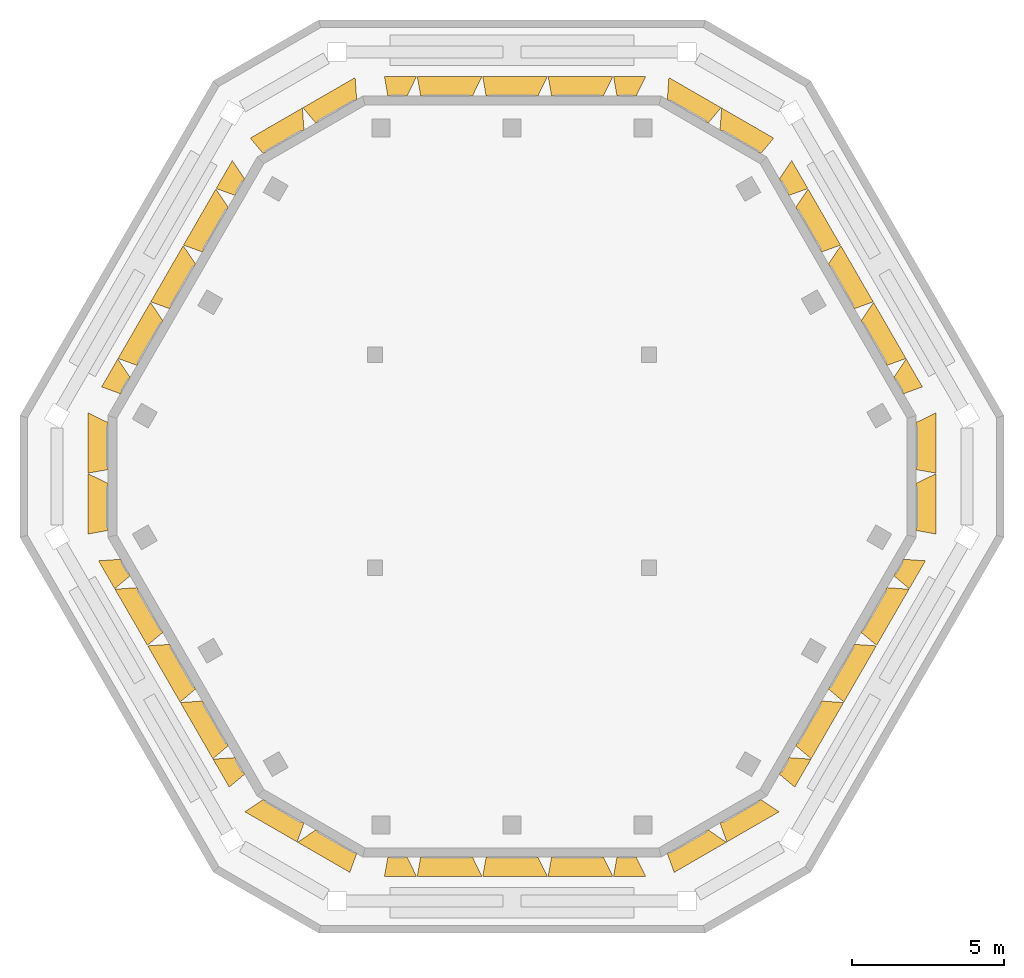
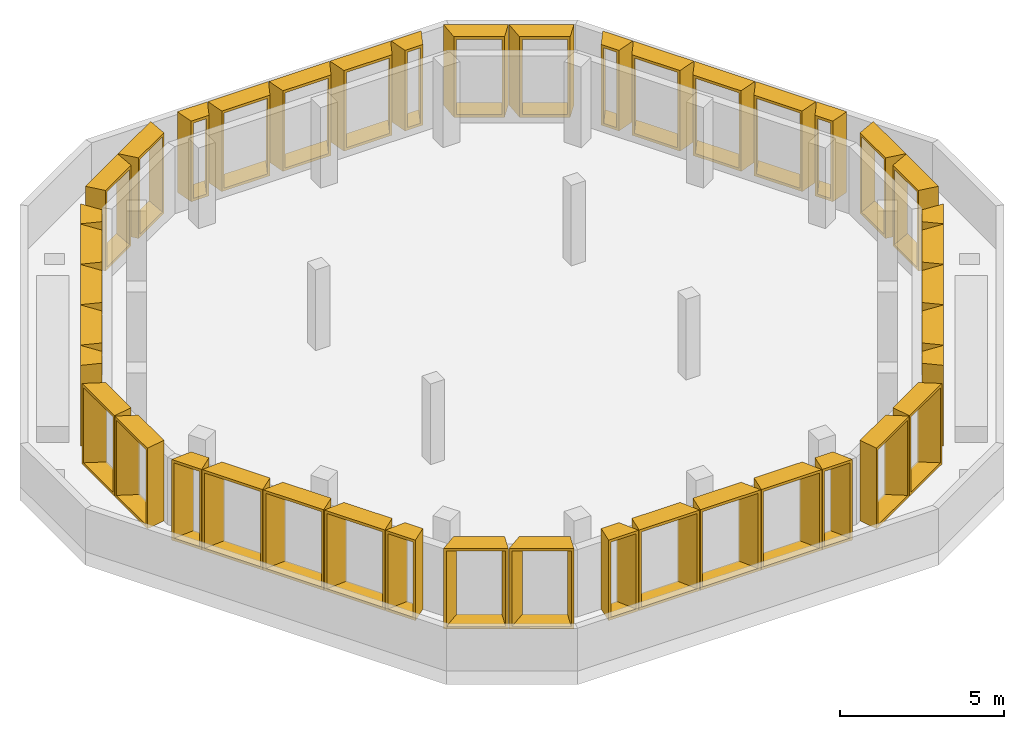
# One storey, part 3 of 4: 42 shading devices.
"""IFC4 building model written with IfcOpenShell, lengths in metres."""

from ifc_helpers import new_model, entity, si_unit, direction, frame, origin, place, context, subcontext, project, spatial, source, transform, mapped, material, type_object, type_shapes, element, save


model = new_model("IFC4")

# Units and contexts
model_context = context("Model", 3, precision=1e-05, world=origin(), true_north=direction((0.0, 1.0)))
body_context = subcontext(model_context, "Body", "Model", "MODEL_VIEW")
ifc_project = project(units=[si_unit("LENGTHUNIT", "METRE"), si_unit("AREAUNIT", "SQUARE_METRE"), si_unit("VOLUMEUNIT", "CUBIC_METRE"), si_unit("PLANEANGLEUNIT", "RADIAN"), si_unit("MASSUNIT", "GRAM", prefix="KILO")], contexts=[model_context])

# Site, building, storey
site_placement = place(None, origin())
site = spatial("IfcSite", under=ifc_project, at=site_placement, CompositionType="ELEMENT")
building_placement = place(site_placement, origin())
building = spatial("IfcBuilding", under=site, at=building_placement, Name="Beryl Residences", CompositionType="ELEMENT")
storey_placement = place(building_placement, frame((0.0, 0.0, 253.800048828125)))
storey = spatial("IfcBuildingStorey", under=building, at=storey_placement, Name="L79", CompositionType="ELEMENT", Elevation=253.800048828125)

# Shading devices
ifc_material_1 = material(Name="Aluminium pale anodised", Category="aluminium")
shading_device_type_1 = type_object("IfcShadingDeviceType", Name="FR108-65B OUTER SKIN frame 650 mm deep, splay 26/10 deg, 1080 x 3000 mm cell", PredefinedType="USERDEFINED", material=ifc_material_1)
cartesian_point_1 = entity("IfcCartesianPoint", [-0.31396484375, 0.0])
cartesian_point_2 = entity("IfcCartesianPoint", [-0.22509765625, 0.10009765625])
cartesian_point_3 = entity("IfcCartesianPoint", [-0.631103515625, 0.0])
cartesian_point_4 = entity("IfcCartesianPoint", [-0.5419921875, 0.10009765625])
shared_shape_1 = source(origin(), body_context, "Body", "SweptSolid", [
    entity("IfcExtrudedAreaSolidTapered", entity("IfcArbitraryProfileDefWithVoids", "AREA", None, entity("IfcPolyline", [cartesian_point_1, entity("IfcCartesianPoint", [0.31396484375, 0.0]), entity("IfcCartesianPoint", [0.31396484375, 3.0]), entity("IfcCartesianPoint", [-0.31396484375, 3.0]), cartesian_point_1]), [entity("IfcPolyline", [cartesian_point_2, entity("IfcCartesianPoint", [0.232666015625, 0.10009765625]), entity("IfcCartesianPoint", [0.232666015625, 2.89990234375]), entity("IfcCartesianPoint", [-0.22509765625, 2.89990234375]), cartesian_point_2])]), entity("IfcAxis2Placement3D", entity("IfcCartesianPoint", [0.0, 0.0, 0.0]), entity("IfcDirection", [0.0, 1.0, 0.0]), entity("IfcDirection", [-1.0, 0.0, 0.0])), entity("IfcDirection", [0.0, 0.0, 1.0]), 0.64990234375, entity("IfcArbitraryProfileDefWithVoids", "AREA", None, entity("IfcPolyline", [cartesian_point_3, entity("IfcCartesianPoint", [0.4287109375, 0.0]), entity("IfcCartesianPoint", [0.4287109375, 3.0]), entity("IfcCartesianPoint", [-0.631103515625, 3.0]), cartesian_point_3]), [entity("IfcPolyline", [cartesian_point_4, entity("IfcCartesianPoint", [0.347412109375, 0.10009765625]), entity("IfcCartesianPoint", [0.347412109375, 2.89990234375]), entity("IfcCartesianPoint", [-0.5419921875, 2.89990234375]), cartesian_point_4])])),
])
type_shapes(shading_device_type_1, [shared_shape_1])
for number, where, z_axis, x_axis, name in (
    (1, (3.763916015625, 12.5, 0.0), (0.0, 0.0, 1.0), (1.0, 0.0, 0.0), "FR108-65B frame L79 N 1"),
    (2, (-3.763916015625, 12.5, 0.0), (0.0, 0.0, 1.0), (1.0, 0.0, 0.0), "FR108-65B frame L79 N 5"),
    (3, (-8.943115234375, 9.509033203125, 0.0), (0.0, 0.0, 1.0), (0.5, 0.866025403784, 0.0), "FR108-65B frame L79 NW 1"),
    (4, (-12.70703125, 2.990966796875, 0.0), (0.0, 0.0, 1.0), (0.5, 0.866025403784, 0.0), "FR108-65B frame L79 NW 5"),
    (5, (-12.70703125, -2.990966796875, 0.0), (0.0, 0.0, 1.0), (-0.5, 0.866025403784, 0.0), "FR108-65B frame L79 SW 1"),
    (6, (-8.943115234375, -9.509033203125, 0.0), (0.0, 0.0, 1.0), (-0.5, 0.866025403784, 0.0), "FR108-65B frame L79 SW 5"),
):
    element("IfcShadingDevice", number, at=place(storey_placement, frame(where, z_axis=z_axis, x_axis=x_axis)), inside=storey, type_object=shading_device_type_1, Name=name, ObjectType="OUTER SKIN", PredefinedType="USERDEFINED", context=body_context, shape_type="MappedRepresentation", body=[
        mapped(shared_shape_1, transform((0.0, 0.0, 0.0))),
    ])
ifc_material_2 = material(Name="Aluminium pale anodised", Category="aluminium")
shading_device_type_2 = type_object("IfcShadingDeviceType", Name="FR108-65C OUTER SKIN frame 650 mm deep, splay 10/26 deg, 1080 x 3000 mm cell", PredefinedType="USERDEFINED", material=ifc_material_2)
cartesian_point_5 = entity("IfcCartesianPoint", [-0.31396484375, 0.0])
cartesian_point_6 = entity("IfcCartesianPoint", [-0.232666015625, 0.10009765625])
cartesian_point_7 = entity("IfcCartesianPoint", [-0.4287109375, 0.0])
cartesian_point_8 = entity("IfcCartesianPoint", [-0.347412109375, 0.10009765625])
shared_shape_2 = source(origin(), body_context, "Body", "SweptSolid", [
    entity("IfcExtrudedAreaSolidTapered", entity("IfcArbitraryProfileDefWithVoids", "AREA", None, entity("IfcPolyline", [cartesian_point_5, entity("IfcCartesianPoint", [0.31396484375, 0.0]), entity("IfcCartesianPoint", [0.31396484375, 3.0]), entity("IfcCartesianPoint", [-0.31396484375, 3.0]), cartesian_point_5]), [entity("IfcPolyline", [cartesian_point_6, entity("IfcCartesianPoint", [0.22509765625, 0.10009765625]), entity("IfcCartesianPoint", [0.22509765625, 2.89990234375]), entity("IfcCartesianPoint", [-0.232666015625, 2.89990234375]), cartesian_point_6])]), entity("IfcAxis2Placement3D", entity("IfcCartesianPoint", [0.0, 0.0, 0.0]), entity("IfcDirection", [0.0, 1.0, 0.0]), entity("IfcDirection", [-1.0, 0.0, 0.0])), entity("IfcDirection", [0.0, 0.0, 1.0]), 0.64990234375, entity("IfcArbitraryProfileDefWithVoids", "AREA", None, entity("IfcPolyline", [cartesian_point_7, entity("IfcCartesianPoint", [0.631103515625, 0.0]), entity("IfcCartesianPoint", [0.631103515625, 3.0]), entity("IfcCartesianPoint", [-0.4287109375, 3.0]), cartesian_point_7]), [entity("IfcPolyline", [cartesian_point_8, entity("IfcCartesianPoint", [0.5419921875, 0.10009765625]), entity("IfcCartesianPoint", [0.5419921875, 2.89990234375]), entity("IfcCartesianPoint", [-0.347412109375, 2.89990234375]), cartesian_point_8])])),
])
type_shapes(shading_device_type_2, [shared_shape_2])
for number, where, z_axis, x_axis, name in (
    (7, (-3.763916015625, -12.5, 0.0), (0.0, 0.0, 1.0), (-1.0, 0.0, 0.0), "FR108-65C frame L79 S 1"),
    (8, (3.763916015625, -12.5, 0.0), (0.0, 0.0, 1.0), (-1.0, 0.0, 0.0), "FR108-65C frame L79 S 5"),
    (9, (8.943115234375, -9.509033203125, 0.0), (0.0, 0.0, 1.0), (-0.5, -0.866025403784, 0.0), "FR108-65C frame L79 SE 1"),
    (10, (12.70703125, -2.990966796875, 0.0), (0.0, 0.0, 1.0), (-0.5, -0.866025403784, 0.0), "FR108-65C frame L79 SE 5"),
    (11, (12.70703125, 2.990966796875, 0.0), (0.0, 0.0, 1.0), (0.5, -0.866025403784, 0.0), "FR108-65C frame L79 NE 1"),
    (12, (8.943115234375, 9.509033203125, 0.0), (0.0, 0.0, 1.0), (0.5, -0.866025403784, 0.0), "FR108-65C frame L79 NE 5"),
):
    element("IfcShadingDevice", number, at=place(storey_placement, frame(where, z_axis=z_axis, x_axis=x_axis)), inside=storey, type_object=shading_device_type_2, Name=name, ObjectType="OUTER SKIN", PredefinedType="USERDEFINED", context=body_context, shape_type="MappedRepresentation", body=[
        mapped(shared_shape_2, transform((0.0, 0.0, 0.0))),
    ])
ifc_material_3 = material(Name="Aluminium pale anodised", Category="aluminium")
shading_device_type_3 = type_object("IfcShadingDeviceType", Name="FR200-65B OUTER SKIN frame 650 mm deep, splay 26/10 deg, 2000 x 3000 mm cell", PredefinedType="USERDEFINED", material=ifc_material_3)
cartesian_point_9 = entity("IfcCartesianPoint", [-0.77392578125, 0.0])
cartesian_point_10 = entity("IfcCartesianPoint", [-0.68505859375, 0.10009765625])
cartesian_point_11 = entity("IfcCartesianPoint", [-1.091064453125, 0.0])
cartesian_point_12 = entity("IfcCartesianPoint", [-1.001953125, 0.10009765625])
shared_shape_3 = source(origin(), body_context, "Body", "SweptSolid", [
    entity("IfcExtrudedAreaSolidTapered", entity("IfcArbitraryProfileDefWithVoids", "AREA", None, entity("IfcPolyline", [cartesian_point_9, entity("IfcCartesianPoint", [0.77392578125, 0.0]), entity("IfcCartesianPoint", [0.77392578125, 3.0]), entity("IfcCartesianPoint", [-0.77392578125, 3.0]), cartesian_point_9]), [entity("IfcPolyline", [cartesian_point_10, entity("IfcCartesianPoint", [0.69287109375, 0.10009765625]), entity("IfcCartesianPoint", [0.69287109375, 2.89990234375]), entity("IfcCartesianPoint", [-0.68505859375, 2.89990234375]), cartesian_point_10])]), entity("IfcAxis2Placement3D", entity("IfcCartesianPoint", [0.0, 0.0, 0.0]), entity("IfcDirection", [0.0, 1.0, 0.0]), entity("IfcDirection", [-1.0, 0.0, 0.0])), entity("IfcDirection", [0.0, 0.0, 1.0]), 0.64990234375, entity("IfcArbitraryProfileDefWithVoids", "AREA", None, entity("IfcPolyline", [cartesian_point_11, entity("IfcCartesianPoint", [0.888671875, 0.0]), entity("IfcCartesianPoint", [0.888671875, 3.0]), entity("IfcCartesianPoint", [-1.091064453125, 3.0]), cartesian_point_11]), [entity("IfcPolyline", [cartesian_point_12, entity("IfcCartesianPoint", [0.807373046875, 0.10009765625]), entity("IfcCartesianPoint", [0.807373046875, 2.89990234375]), entity("IfcCartesianPoint", [-1.001953125, 2.89990234375]), cartesian_point_12])])),
])
type_shapes(shading_device_type_3, [shared_shape_3])
for number, where, z_axis, x_axis, name in (
    (13, (-5.77392578125, 12.0, 0.0), (0.0, 0.0, 1.0), (0.866025403784, 0.5, 0.0), "FR200-65B frame L79 N-NW 1"),
    (14, (-7.506103515625, 11.0, 0.0), (0.0, 0.0, 1.0), (0.866025403784, 0.5, 0.0), "FR200-65B frame L79 N-NW 2"),
    (15, (-13.279052734375, 1.0, 0.0), (0.0, 0.0, 1.0), (0.0, 1.0, 0.0), "FR200-65B frame L79 NW-SW 1"),
    (16, (-13.279052734375, -1.0, 0.0), (0.0, 0.0, 1.0), (0.0, 1.0, 0.0), "FR200-65B frame L79 NW-SW 2"),
    (17, (-7.506103515625, -11.0, 0.0), (0.0, 0.0, 1.0), (-0.866025403784, 0.5, 0.0), "FR200-65B frame L79 SW-S 1"),
    (18, (-5.77392578125, -12.0, 0.0), (0.0, 0.0, 1.0), (-0.866025403784, 0.5, 0.0), "FR200-65B frame L79 SW-S 2"),
):
    element("IfcShadingDevice", number, at=place(storey_placement, frame(where, z_axis=z_axis, x_axis=x_axis)), inside=storey, type_object=shading_device_type_3, Name=name, ObjectType="OUTER SKIN", PredefinedType="USERDEFINED", context=body_context, shape_type="MappedRepresentation", body=[
        mapped(shared_shape_3, transform((0.0, 0.0, 0.0))),
    ])
ifc_material_4 = material(Name="Aluminium pale anodised", Category="aluminium")
shading_device_type_4 = type_object("IfcShadingDeviceType", Name="FR200-65C OUTER SKIN frame 650 mm deep, splay 10/26 deg, 2000 x 3000 mm cell", PredefinedType="USERDEFINED", material=ifc_material_4)
cartesian_point_13 = entity("IfcCartesianPoint", [-0.77392578125, 0.0])
cartesian_point_14 = entity("IfcCartesianPoint", [-0.69287109375, 0.10009765625])
cartesian_point_15 = entity("IfcCartesianPoint", [-0.888671875, 0.0])
cartesian_point_16 = entity("IfcCartesianPoint", [-0.807373046875, 0.10009765625])
shared_shape_4 = source(origin(), body_context, "Body", "SweptSolid", [
    entity("IfcExtrudedAreaSolidTapered", entity("IfcArbitraryProfileDefWithVoids", "AREA", None, entity("IfcPolyline", [cartesian_point_13, entity("IfcCartesianPoint", [0.77392578125, 0.0]), entity("IfcCartesianPoint", [0.77392578125, 3.0]), entity("IfcCartesianPoint", [-0.77392578125, 3.0]), cartesian_point_13]), [entity("IfcPolyline", [cartesian_point_14, entity("IfcCartesianPoint", [0.68505859375, 0.10009765625]), entity("IfcCartesianPoint", [0.68505859375, 2.89990234375]), entity("IfcCartesianPoint", [-0.69287109375, 2.89990234375]), cartesian_point_14])]), entity("IfcAxis2Placement3D", entity("IfcCartesianPoint", [0.0, 0.0, 0.0]), entity("IfcDirection", [0.0, 1.0, 0.0]), entity("IfcDirection", [-1.0, 0.0, 0.0])), entity("IfcDirection", [0.0, 0.0, 1.0]), 0.64990234375, entity("IfcArbitraryProfileDefWithVoids", "AREA", None, entity("IfcPolyline", [cartesian_point_15, entity("IfcCartesianPoint", [1.091064453125, 0.0]), entity("IfcCartesianPoint", [1.091064453125, 3.0]), entity("IfcCartesianPoint", [-0.888671875, 3.0]), cartesian_point_15]), [entity("IfcPolyline", [cartesian_point_16, entity("IfcCartesianPoint", [1.001953125, 0.10009765625]), entity("IfcCartesianPoint", [1.001953125, 2.89990234375]), entity("IfcCartesianPoint", [-0.807373046875, 2.89990234375]), cartesian_point_16])])),
])
type_shapes(shading_device_type_4, [shared_shape_4])
for number, where, z_axis, x_axis, name in (
    (19, (5.77392578125, -12.0, 0.0), (0.0, 0.0, 1.0), (-0.866025403784, -0.5, 0.0), "FR200-65C frame L79 S-SE 1"),
    (20, (7.506103515625, -11.0, 0.0), (0.0, 0.0, 1.0), (-0.866025403784, -0.5, 0.0), "FR200-65C frame L79 S-SE 2"),
    (21, (13.279052734375, -1.0, 0.0), (0.0, 0.0, 1.0), (0.0, -1.0, 0.0), "FR200-65C frame L79 SE-NE 1"),
    (22, (13.279052734375, 1.0, 0.0), (0.0, 0.0, 1.0), (0.0, -1.0, 0.0), "FR200-65C frame L79 SE-NE 2"),
    (23, (7.506103515625, 11.0, 0.0), (0.0, 0.0, 1.0), (0.866025403784, -0.5, 0.0), "FR200-65C frame L79 NE-N 1"),
    (24, (5.77392578125, 12.0, 0.0), (0.0, 0.0, 1.0), (0.866025403784, -0.5, 0.0), "FR200-65C frame L79 NE-N 2"),
):
    element("IfcShadingDevice", number, at=place(storey_placement, frame(where, z_axis=z_axis, x_axis=x_axis)), inside=storey, type_object=shading_device_type_4, Name=name, ObjectType="OUTER SKIN", PredefinedType="USERDEFINED", context=body_context, shape_type="MappedRepresentation", body=[
        mapped(shared_shape_4, transform((0.0, 0.0, 0.0))),
    ])
ifc_material_5 = material(Name="Aluminium pale anodised", Category="aluminium")
shading_device_type_5 = type_object("IfcShadingDeviceType", Name="FR215-65B OUTER SKIN frame 650 mm deep, splay 26/10 deg, 2150 x 3000 mm cell", PredefinedType="USERDEFINED", material=ifc_material_5)
cartesian_point_17 = entity("IfcCartesianPoint", [-0.84912109375, 0.0])
cartesian_point_18 = entity("IfcCartesianPoint", [-0.760009765625, 0.10009765625])
cartesian_point_19 = entity("IfcCartesianPoint", [-1.166015625, 0.0])
cartesian_point_20 = entity("IfcCartesianPoint", [-1.076904296875, 0.10009765625])
shared_shape_5 = source(origin(), body_context, "Body", "SweptSolid", [
    entity("IfcExtrudedAreaSolidTapered", entity("IfcArbitraryProfileDefWithVoids", "AREA", None, entity("IfcPolyline", [cartesian_point_17, entity("IfcCartesianPoint", [0.84912109375, 0.0]), entity("IfcCartesianPoint", [0.84912109375, 3.0]), entity("IfcCartesianPoint", [-0.84912109375, 3.0]), cartesian_point_17]), [entity("IfcPolyline", [cartesian_point_18, entity("IfcCartesianPoint", [0.767822265625, 0.10009765625]), entity("IfcCartesianPoint", [0.767822265625, 2.89990234375]), entity("IfcCartesianPoint", [-0.760009765625, 2.89990234375]), cartesian_point_18])]), entity("IfcAxis2Placement3D", entity("IfcCartesianPoint", [0.0, 0.0, 0.0]), entity("IfcDirection", [0.0, 1.0, 0.0]), entity("IfcDirection", [-1.0, 0.0, 0.0])), entity("IfcDirection", [0.0, 0.0, 1.0]), 0.64990234375, entity("IfcArbitraryProfileDefWithVoids", "AREA", None, entity("IfcPolyline", [cartesian_point_19, entity("IfcCartesianPoint", [0.963623046875, 0.0]), entity("IfcCartesianPoint", [0.963623046875, 3.0]), entity("IfcCartesianPoint", [-1.166015625, 3.0]), cartesian_point_19]), [entity("IfcPolyline", [cartesian_point_20, entity("IfcCartesianPoint", [0.88232421875, 0.10009765625]), entity("IfcCartesianPoint", [0.88232421875, 2.89990234375]), entity("IfcCartesianPoint", [-1.076904296875, 2.89990234375]), cartesian_point_20])])),
])
type_shapes(shading_device_type_5, [shared_shape_5])
for number, where, z_axis, x_axis, name in (
    (25, (2.15087890625, 12.5, 0.0), (0.0, 0.0, 1.0), (1.0, 0.0, 0.0), "FR215-65B frame L79 N 2"),
    (26, (0.0, 12.5, 0.0), (0.0, 0.0, 1.0), (1.0, 0.0, 0.0), "FR215-65B frame L79 N 3"),
    (27, (-2.15087890625, 12.5, 0.0), (0.0, 0.0, 1.0), (1.0, 0.0, 0.0), "FR215-65B frame L79 N 4"),
    (28, (-9.75, 8.112060546875, 0.0), (0.0, 0.0, 1.0), (0.5, 0.866025403784, 0.0), "FR215-65B frame L79 NW 2"),
    (29, (-10.824951171875, 6.25, 0.0), (0.0, 0.0, 1.0), (0.5, 0.866025403784, 0.0), "FR215-65B frame L79 NW 3"),
    (30, (-11.89990234375, 4.387939453125, 0.0), (0.0, 0.0, 1.0), (0.5, 0.866025403784, 0.0), "FR215-65B frame L79 NW 4"),
    (31, (-11.89990234375, -4.387939453125, 0.0), (0.0, 0.0, 1.0), (-0.5, 0.866025403784, 0.0), "FR215-65B frame L79 SW 2"),
    (32, (-10.824951171875, -6.25, 0.0), (0.0, 0.0, 1.0), (-0.5, 0.866025403784, 0.0), "FR215-65B frame L79 SW 3"),
    (33, (-9.75, -8.112060546875, 0.0), (0.0, 0.0, 1.0), (-0.5, 0.866025403784, 0.0), "FR215-65B frame L79 SW 4"),
):
    element("IfcShadingDevice", number, at=place(storey_placement, frame(where, z_axis=z_axis, x_axis=x_axis)), inside=storey, type_object=shading_device_type_5, Name=name, ObjectType="OUTER SKIN", PredefinedType="USERDEFINED", context=body_context, shape_type="MappedRepresentation", body=[
        mapped(shared_shape_5, transform((0.0, 0.0, 0.0))),
    ])
ifc_material_6 = material(Name="Aluminium pale anodised", Category="aluminium")
shading_device_type_6 = type_object("IfcShadingDeviceType", Name="FR215-65C OUTER SKIN frame 650 mm deep, splay 10/26 deg, 2150 x 3000 mm cell", PredefinedType="USERDEFINED", material=ifc_material_6)
cartesian_point_21 = entity("IfcCartesianPoint", [-0.84912109375, 0.0])
cartesian_point_22 = entity("IfcCartesianPoint", [-0.767822265625, 0.10009765625])
cartesian_point_23 = entity("IfcCartesianPoint", [-0.963623046875, 0.0])
cartesian_point_24 = entity("IfcCartesianPoint", [-0.88232421875, 0.10009765625])
shared_shape_6 = source(origin(), body_context, "Body", "SweptSolid", [
    entity("IfcExtrudedAreaSolidTapered", entity("IfcArbitraryProfileDefWithVoids", "AREA", None, entity("IfcPolyline", [cartesian_point_21, entity("IfcCartesianPoint", [0.84912109375, 0.0]), entity("IfcCartesianPoint", [0.84912109375, 3.0]), entity("IfcCartesianPoint", [-0.84912109375, 3.0]), cartesian_point_21]), [entity("IfcPolyline", [cartesian_point_22, entity("IfcCartesianPoint", [0.760009765625, 0.10009765625]), entity("IfcCartesianPoint", [0.760009765625, 2.89990234375]), entity("IfcCartesianPoint", [-0.767822265625, 2.89990234375]), cartesian_point_22])]), entity("IfcAxis2Placement3D", entity("IfcCartesianPoint", [0.0, 0.0, 0.0]), entity("IfcDirection", [0.0, 1.0, 0.0]), entity("IfcDirection", [-1.0, 0.0, 0.0])), entity("IfcDirection", [0.0, 0.0, 1.0]), 0.64990234375, entity("IfcArbitraryProfileDefWithVoids", "AREA", None, entity("IfcPolyline", [cartesian_point_23, entity("IfcCartesianPoint", [1.166015625, 0.0]), entity("IfcCartesianPoint", [1.166015625, 3.0]), entity("IfcCartesianPoint", [-0.963623046875, 3.0]), cartesian_point_23]), [entity("IfcPolyline", [cartesian_point_24, entity("IfcCartesianPoint", [1.076904296875, 0.10009765625]), entity("IfcCartesianPoint", [1.076904296875, 2.89990234375]), entity("IfcCartesianPoint", [-0.88232421875, 2.89990234375]), cartesian_point_24])])),
])
type_shapes(shading_device_type_6, [shared_shape_6])
for number, where, z_axis, x_axis, name in (
    (34, (-2.15087890625, -12.5, 0.0), (0.0, 0.0, 1.0), (-1.0, 0.0, 0.0), "FR215-65C frame L79 S 2"),
    (35, (0.0, -12.5, 0.0), (0.0, 0.0, 1.0), (-1.0, 0.0, 0.0), "FR215-65C frame L79 S 3"),
    (36, (2.15087890625, -12.5, 0.0), (0.0, 0.0, 1.0), (-1.0, 0.0, 0.0), "FR215-65C frame L79 S 4"),
    (37, (9.75, -8.112060546875, 0.0), (0.0, 0.0, 1.0), (-0.5, -0.866025403784, 0.0), "FR215-65C frame L79 SE 2"),
    (38, (10.824951171875, -6.25, 0.0), (0.0, 0.0, 1.0), (-0.5, -0.866025403784, 0.0), "FR215-65C frame L79 SE 3"),
    (39, (11.89990234375, -4.387939453125, 0.0), (0.0, 0.0, 1.0), (-0.5, -0.866025403784, 0.0), "FR215-65C frame L79 SE 4"),
    (40, (11.89990234375, 4.387939453125, 0.0), (0.0, 0.0, 1.0), (0.5, -0.866025403784, 0.0), "FR215-65C frame L79 NE 2"),
    (41, (10.824951171875, 6.25, 0.0), (0.0, 0.0, 1.0), (0.5, -0.866025403784, 0.0), "FR215-65C frame L79 NE 3"),
    (42, (9.75, 8.112060546875, 0.0), (0.0, 0.0, 1.0), (0.5, -0.866025403784, 0.0), "FR215-65C frame L79 NE 4"),
):
    element("IfcShadingDevice", number, at=place(storey_placement, frame(where, z_axis=z_axis, x_axis=x_axis)), inside=storey, type_object=shading_device_type_6, Name=name, ObjectType="OUTER SKIN", PredefinedType="USERDEFINED", context=body_context, shape_type="MappedRepresentation", body=[
        mapped(shared_shape_6, transform((0.0, 0.0, 0.0))),
    ])

save(model, "model.ifc")
